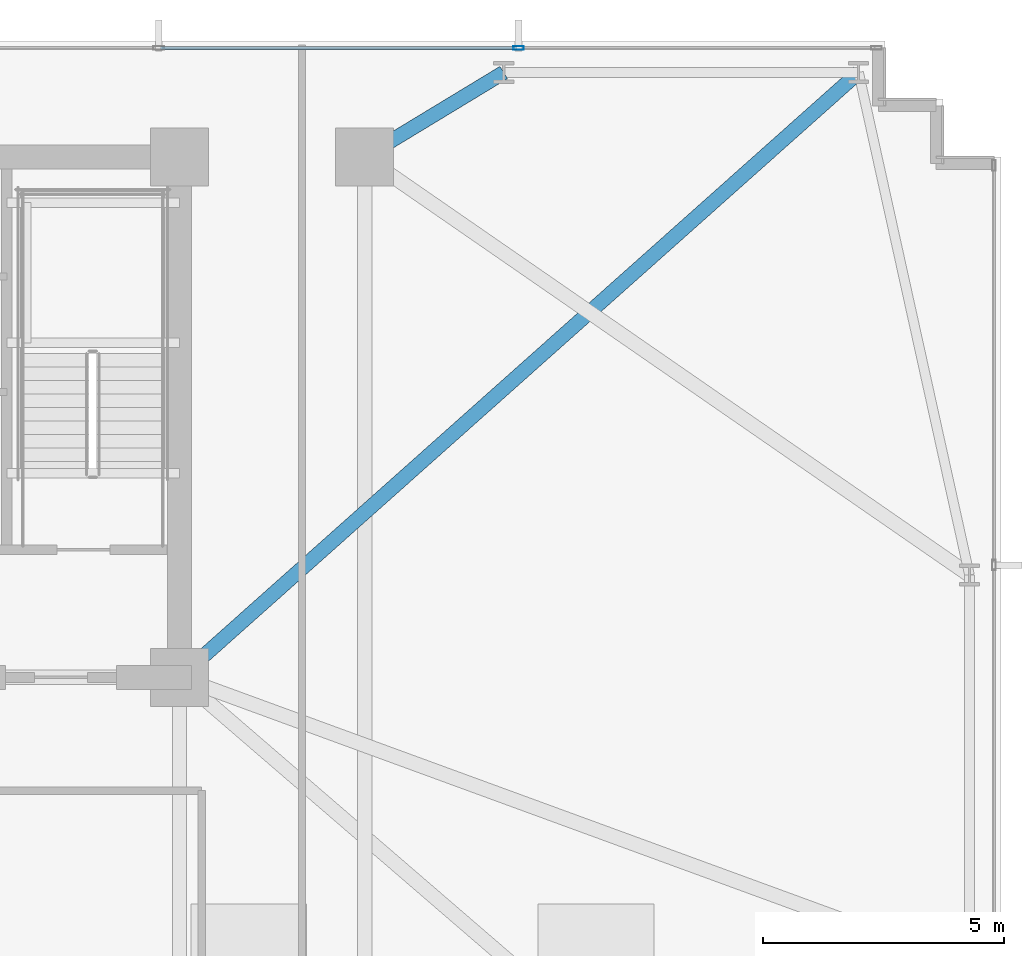
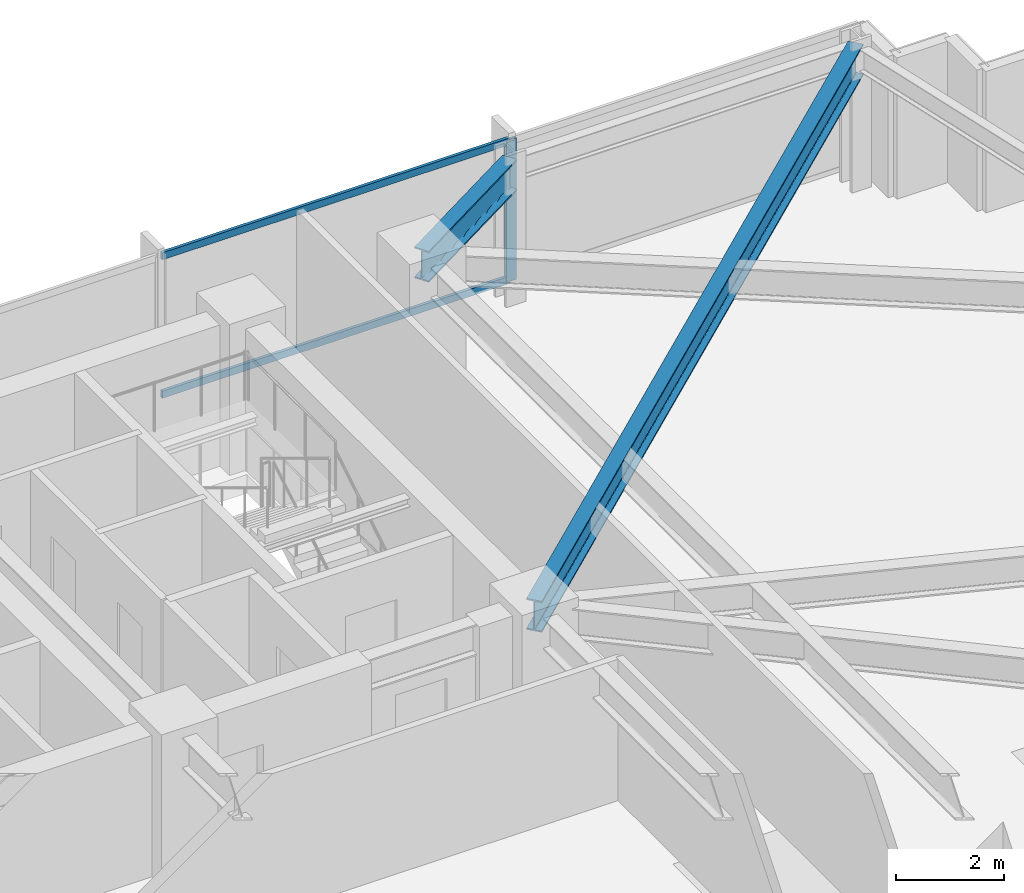
# One storey, part 19 of 31: 3 members, 2 beams, 1 element without a shape of its own.
"""IFC4 building model written with IfcOpenShell, lengths in metres."""

from ifc_helpers import new_model, si_unit, direction, frame, origin, origin_2d, place, context, subcontext, project, spatial, hollow_rectangle, i_section, extrude, material, material_profile, profile_set, type_object, element, aggregate, save


model = new_model("IFC4")

# Units and contexts
model_context = context("Model", 3, precision=1e-05, world=origin(), true_north=direction((0.0, 1.0)))
body_context = subcontext(model_context, "Body", "Model", "MODEL_VIEW")
ifc_project = project(units=[si_unit("LENGTHUNIT", "METRE"), si_unit("AREAUNIT", "SQUARE_METRE"), si_unit("VOLUMEUNIT", "CUBIC_METRE"), si_unit("PLANEANGLEUNIT", "RADIAN"), si_unit("MASSUNIT", "GRAM", prefix="KILO")], contexts=[model_context])

# Site, building, storey
site_placement = place(None, origin())
site = spatial("IfcSite", under=ifc_project, at=site_placement, CompositionType="ELEMENT")
building_placement = place(site_placement, origin())
building = spatial("IfcBuilding", under=site, at=building_placement, Name="Yelkora Congress Tower", CompositionType="ELEMENT")
storey_placement = place(building_placement, frame((0.0, 0.0, 30.39990234375)))
storey = spatial("IfcBuildingStorey", under=building, at=storey_placement, Name="L06", CompositionType="ELEMENT", Elevation=30.39990234375)

# Beams
ifc_material_1 = material(Name="Steel S355J2", Category="steel")
ifc_material_profile_1 = material_profile(ifc_material_1, i_section(OverallWidth=0.300048828125, OverallDepth=0.699951171875, WebThickness=0.01708984375, FlangeThickness=0.031982421875, FilletRadius=0.027099609375, at=origin_2d()), Name="HEB 700")
ifc_profile_set_1 = profile_set([ifc_material_profile_1], Name="Steel S355J2")
beam_type = type_object("IfcBeamType", Name="BM-GIRD-HEB700", PredefinedType="BEAM", material=ifc_profile_set_1)
beam_1_placement = place(storey_placement, frame((60.487548828125, 47.949951171875, 2.830078125), z_axis=(-0.855193946581, -0.518308126244, 0.0), x_axis=(0.518308126244, -0.855193946581, 0.0)))
element("IfcBeam", 1, at=beam_1_placement, inside=storey, type_object=beam_type, Name="L06 Primary Frame Girder N08", PredefinedType="BEAM", context=body_context, shape_type="SweptSolid", body=[
    extrude(i_section(OverallWidth=0.300048828125, OverallDepth=0.699951171875, WebThickness=0.01708984375, FlangeThickness=0.031982421875, FilletRadius=0.027099609375, at=origin_2d()), origin(), (0.0, 0.0, 1.0), 3.37646484375),
])
beam_2_placement = place(storey_placement, frame((67.85009765625, 47.949951171875, 2.830078125), z_axis=(-0.746737189621, -0.665119214605, 0.0), x_axis=(0.665119214605, -0.746737189621, 0.0)))
element("IfcBeam", 2, at=beam_2_placement, inside=storey, type_object=beam_type, Name="L06 Primary Frame Girder N09", PredefinedType="BEAM", context=body_context, shape_type="SweptSolid", body=[
    extrude(i_section(OverallWidth=0.300048828125, OverallDepth=0.699951171875, WebThickness=0.01708984375, FlangeThickness=0.031982421875, FilletRadius=0.027099609375, at=origin_2d()), origin(), (0.0, 0.0, 1.0), 18.868896484375),
])

# Curtain wall, members
ifc_material_2 = material(Name="Anodised aluminium and insulated glass", Category="aluminium")
curtain_wall_type = type_object("IfcCurtainWallType", Name="CW-SYS-B1", PredefinedType="NOTDEFINED", material=ifc_material_2)
curtain_wall_placement = place(storey_placement, origin())
curtain_wall = element("IfcCurtainWall", 3, at=curtain_wall_placement, inside=storey, type_object=curtain_wall_type, Name="L06 Unitised Curtain Wall 10", PredefinedType="NOTDEFINED")
ifc_material_3 = material(Name="Anodised aluminium 6063-T6", Category="aluminium")
ifc_material_profile_2 = material_profile(ifc_material_3, hollow_rectangle(XDim=0.074951171875, YDim=0.219970703125, WallThickness=0.0048828125, at=origin_2d()), Name="ALU 75x220x5")
ifc_profile_set_2 = profile_set([ifc_material_profile_2], Name="Anodised aluminium 6063-T6")
member_type_1 = type_object("IfcMemberType", Name="MEM-ML-B1", PredefinedType="MULLION", material=ifc_profile_set_2)
member_1_placement = place(storey_placement, frame((60.794921875, 48.4599609375, 0.0), z_axis=(0.0, 0.0, 1.0), x_axis=(0.0, 1.0, 0.0)))
member_1 = element("IfcMember", 4, at=member_1_placement, type_object=member_type_1, Name="CW-B1 mullion 8", PredefinedType="MULLION", context=body_context, shape_type="SweptSolid", body=[
    extrude(hollow_rectangle(XDim=0.074951171875, YDim=0.219970703125, WallThickness=0.0048828125, at=origin_2d()), origin(), (0.0, 0.0, 1.0), 3.18017578125),
])
ifc_material_profile_3 = material_profile(ifc_material_3, hollow_rectangle(XDim=0.06494140625, YDim=0.159912109375, WallThickness=0.00390625, at=origin_2d()), Name="ALU 65x160x4")
ifc_profile_set_3 = profile_set([ifc_material_profile_3], Name="Anodised aluminium 6063-T6")
member_type_2 = type_object("IfcMemberType", Name="MEM-TR-B1", PredefinedType="USERDEFINED", material=ifc_profile_set_3)
member_2_placement = place(storey_placement, frame((53.367431640625, 48.4599609375, 0.03271484375), z_axis=(1.0, 0.0, 0.0), x_axis=(0.0, 1.0, 0.0)))
member_2 = element("IfcMember", 5, at=member_2_placement, type_object=member_type_2, Name="CW-B1 transom 7.1", ObjectType="TRANSOM", PredefinedType="USERDEFINED", context=body_context, shape_type="SweptSolid", body=[
    extrude(hollow_rectangle(XDim=0.06494140625, YDim=0.159912109375, WallThickness=0.00390625, at=origin_2d()), origin(), (0.0, 0.0, 1.0), 7.39013671875),
])
member_3_placement = place(storey_placement, frame((53.367431640625, 48.4599609375, 3.147705078125), z_axis=(1.0, 0.0, 0.0), x_axis=(0.0, 1.0, 0.0)))
member_3 = element("IfcMember", 6, at=member_3_placement, type_object=member_type_2, Name="CW-B1 transom 7.2", ObjectType="TRANSOM", PredefinedType="USERDEFINED", context=body_context, shape_type="SweptSolid", body=[
    extrude(hollow_rectangle(XDim=0.06494140625, YDim=0.159912109375, WallThickness=0.00390625, at=origin_2d()), origin(), (0.0, 0.0, 1.0), 7.39013671875),
])
aggregate(curtain_wall, [member_1, member_2, member_3])

save(model, "model.ifc")
